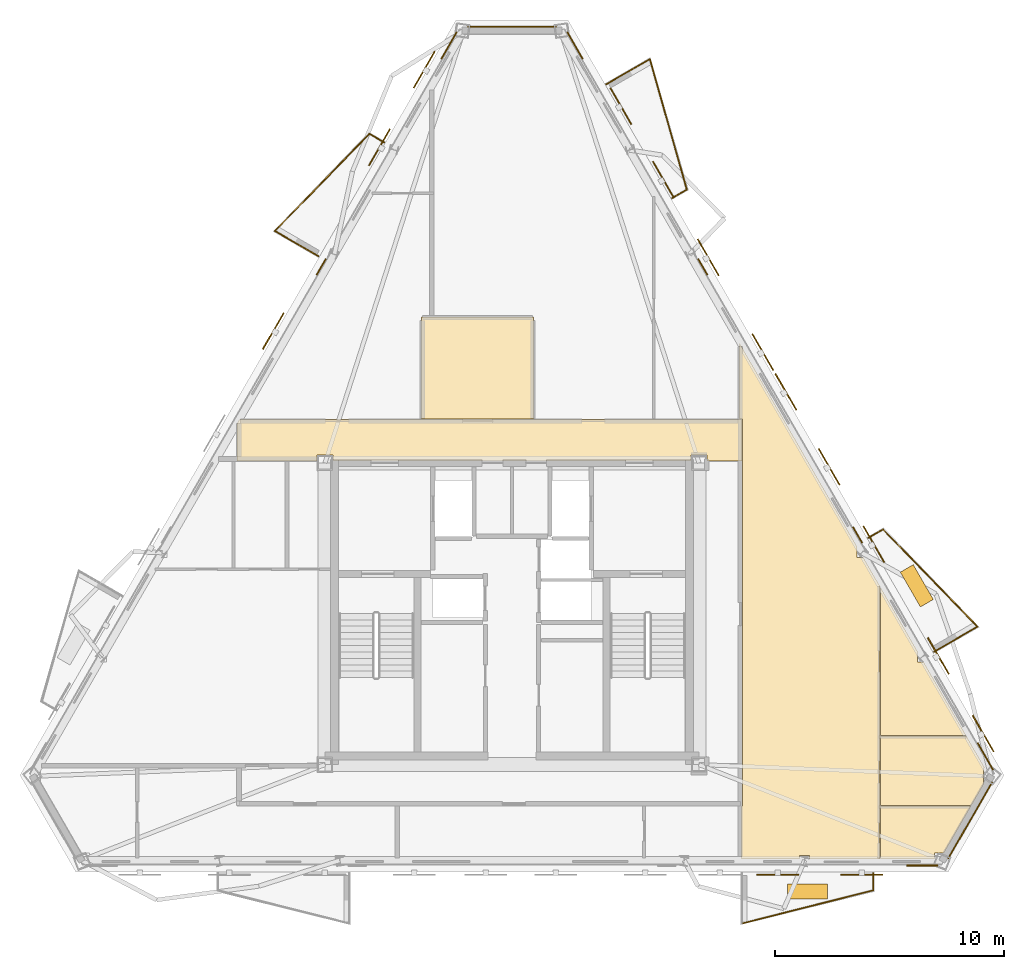
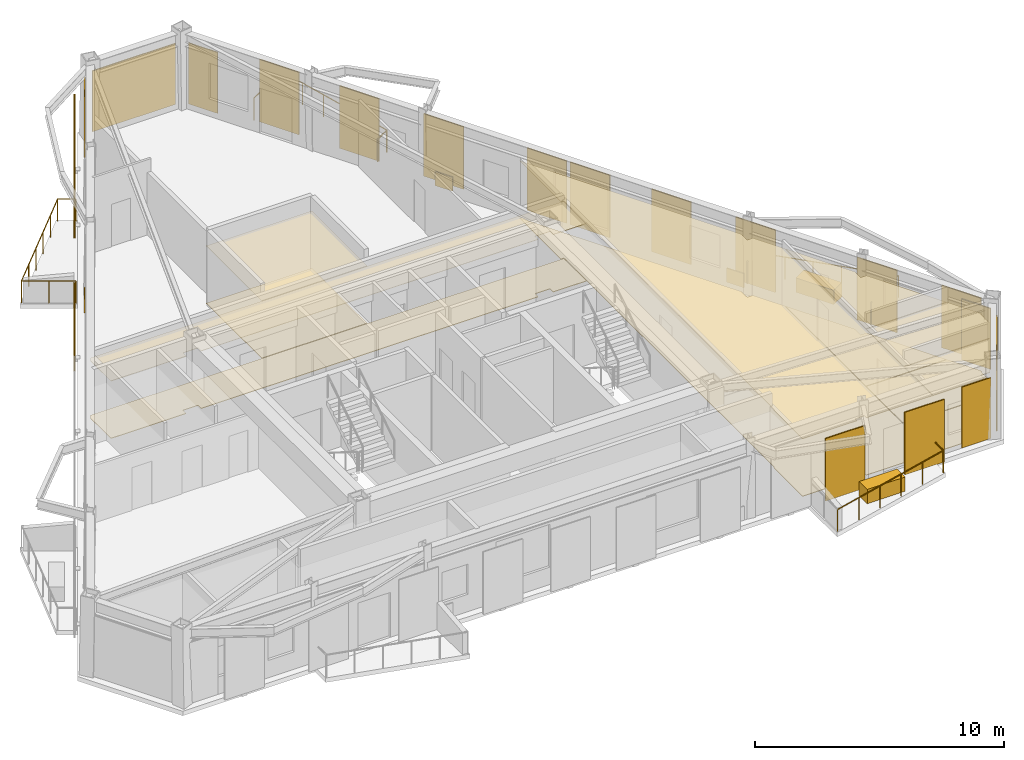
# One storey, part 9 of 9: 23 coverings, 14 shading devices, 11 railings.
"""IFC4 building model written with IfcOpenShell, lengths in metres."""

import ifcopenshell
import ifcopenshell.guid

model = None  # the IFC model being written
_history = None  # IfcOwnerHistory: only IFC2X3 demands one
_inside = {}  # id of a spatial element -> (the spatial element, [elements in it])
_under = {}  # id of a project, library or spatial element -> (it, [spatial elements below it])
_declared = {}  # id of a project -> (the project, [libraries it declares])
_typed = {}  # id of a type object -> (the type object, [elements of that type])
_made_of = {}  # id of a material, layer set ... -> (it, [elements and type objects made of it])


def new_model(schema):
    """Start an empty IFC model of exactly this schema.

    Asked for "IFC4X3", IfcOpenShell would pick the latest addendum, in which some entities
    have other attributes; the version numbers below select the first issue.
    IFC2X3 requires an IfcOwnerHistory on every rooted entity: one is made here for all.
    """
    global model, _history
    if schema == "IFC4X3":
        model = ifcopenshell.file(schema_version=(4, 3, 0, 0))
    else:
        model = ifcopenshell.file(schema=schema)
    _inside.clear()
    _under.clear()
    _declared.clear()
    _typed.clear()
    _made_of.clear()
    _history = None
    if model.schema == "IFC2X3":
        org = make("IfcOrganization", Name="unknown")
        user = make(
            "IfcPersonAndOrganization",
            ThePerson=make("IfcPerson", FamilyName="unknown"),
            TheOrganization=org,
        )
        app = make(
            "IfcApplication",
            ApplicationDeveloper=org,
            Version="unknown",
            ApplicationFullName="unknown",
            ApplicationIdentifier="unknown",
        )
        _history = make(
            "IfcOwnerHistory",
            OwningUser=user,
            OwningApplication=app,
            ChangeAction="ADDED",
            CreationDate=0,
        )
    return model


def make(cls, **values):
    """One entity of the class cls with the attributes given. An attribute that is None is left unset."""
    return model.create_entity(
        cls, **{name: value for name, value in values.items() if value is not None}
    )


def rooted(cls, **values):
    """An entity with a GlobalId (a new one), such as an element, a storey or a relation."""
    return make(cls, GlobalId=ifcopenshell.guid.new(), OwnerHistory=_history, **values)


def si_unit(unit_type, name, prefix=None):
    """IfcSIUnit, for example si_unit("LENGTHUNIT", "METRE", prefix="MILLI")."""
    return make("IfcSIUnit", UnitType=unit_type, Prefix=prefix, Name=name)


def assignment(units):
    """IfcUnitAssignment: the units of a project."""
    return None if units is None else make("IfcUnitAssignment", Units=units)


def point(xyz):
    """IfcCartesianPoint."""
    return None if xyz is None else make("IfcCartesianPoint", Coordinates=xyz)


def direction(xyz):
    """IfcDirection."""
    return None if xyz is None else make("IfcDirection", DirectionRatios=xyz)


def frame(location, z_axis=None, x_axis=None):
    """IfcAxis2Placement3D, a coordinate frame: its origin and axes. An axis left out is left unset."""
    return make(
        "IfcAxis2Placement3D",
        Location=point(location),
        Axis=direction(z_axis),
        RefDirection=direction(x_axis),
    )


def frame_2d(location, x_axis=None):
    """IfcAxis2Placement2D, a coordinate frame in the plane: its origin and x axis."""
    return make(
        "IfcAxis2Placement2D", Location=point(location), RefDirection=direction(x_axis)
    )


def origin():
    """The frame at (0, 0, 0) with its axes left unset."""
    return frame((0.0, 0.0, 0.0))


def origin_2d():
    """The frame at (0, 0) in the plane with its x axis left unset."""
    return frame_2d((0.0, 0.0))


def place(relative_to, where):
    """IfcLocalPlacement: puts the frame where relative to a parent placement (None: the world)."""
    return make(
        "IfcLocalPlacement", PlacementRelTo=relative_to, RelativePlacement=where
    )


def context(
    kind, dimensions, precision=None, world=None, true_north=None, identifier=None
):
    """IfcGeometricRepresentationContext, for example the 3D "Model" context."""
    return make(
        "IfcGeometricRepresentationContext",
        ContextIdentifier=identifier,
        ContextType=kind,
        CoordinateSpaceDimension=dimensions,
        Precision=precision,
        WorldCoordinateSystem=world,
        TrueNorth=true_north,
    )


def subcontext(parent, identifier, kind, view, scale=None):
    """IfcGeometricRepresentationSubContext, for example "Body" below "Model"."""
    return make(
        "IfcGeometricRepresentationSubContext",
        ContextIdentifier=identifier,
        ContextType=kind,
        ParentContext=parent,
        TargetScale=scale,
        TargetView=view,
    )


def project(units=None, contexts=None):
    """IfcProject with its units and contexts."""
    return rooted(
        "IfcProject",
        Name="project",
        RepresentationContexts=contexts,
        UnitsInContext=assignment(units),
    )


def spatial(cls, under=None, at=None, **own):
    """A site, building, storey or space (cls), placed at a placement, below another one or the project."""
    s = rooted(cls, ObjectPlacement=at, **own)
    if under is not None:
        _under.setdefault(under.id(), (under, []))[1].append(s)
    return s


def polyline(points):
    """IfcPolyline through the points."""
    return make("IfcPolyline", Points=[point(p) for p in points])


def profile(cls, at=None, kind="AREA", **sizes):
    """A parametric profile (cls). Its sizes go by their IFC names, for example OverallWidth=200.0."""
    return make(cls, ProfileType=kind, Position=at, **sizes)


def rectangle(**sizes):
    """IfcRectangleProfileDef."""
    return profile("IfcRectangleProfileDef", **sizes)


def circle(**sizes):
    """IfcCircleProfileDef."""
    return profile("IfcCircleProfileDef", **sizes)


def outline(outer, holes=None, kind="AREA"):
    """IfcArbitraryClosedProfileDef: a profile drawn as a closed curve; with holes, ...WithVoids."""
    if holes is None:
        return make("IfcArbitraryClosedProfileDef", ProfileType=kind, OuterCurve=outer)
    return make(
        "IfcArbitraryProfileDefWithVoids",
        ProfileType=kind,
        OuterCurve=outer,
        InnerCurves=holes,
    )


def extrude(swept, where, along, depth):
    """IfcExtrudedAreaSolid: the profile swept, set in the frame where, extruded along a direction by depth."""
    return make(
        "IfcExtrudedAreaSolid",
        SweptArea=swept,
        Position=where,
        ExtrudedDirection=direction(along),
        Depth=depth,
    )


def shape(context_of_items, identifier, shape_type, items):
    """IfcShapeRepresentation: the items that make up one representation, for example the "Body"."""
    return make(
        "IfcShapeRepresentation",
        ContextOfItems=context_of_items,
        RepresentationIdentifier=identifier,
        RepresentationType=shape_type,
        Items=items,
    )


def material(Name=None, Category=None):
    """IfcMaterial."""
    return make("IfcMaterial", Name=Name, Category=Category)


def layer(
    of_material, thickness, ventilated=None, Name=None, Category=None, Priority=None
):
    """IfcMaterialLayer: one layer of a wall or slab, of a material (None: an air gap)."""
    return make(
        "IfcMaterialLayer",
        Material=of_material,
        LayerThickness=thickness,
        IsVentilated=ventilated,
        Name=Name,
        Category=Category,
        Priority=Priority,
    )


def layer_set(layers, Name=None):
    """IfcMaterialLayerSet."""
    return make("IfcMaterialLayerSet", MaterialLayers=layers, LayerSetName=Name)


def made_of(thing, what):
    """Note that an element or type object is made of a material, layer set ...; save() writes the relation."""
    if what is not None:
        _made_of.setdefault(what.id(), (what, []))[1].append(thing)
    return thing


def type_object(cls, material=None, **own):
    """A type object (cls), such as IfcWallType, which elements share."""
    return made_of(rooted(cls, **own), material)


def element(
    cls,
    number,
    at=None,
    inside=None,
    cuts=None,
    type_object=None,
    material=None,
    context=None,
    identifier="Body",
    shape_type=None,
    held_by="IfcProductDefinitionShape",
    body=None,
    shapes=None,
    **own,
):
    """One element of the class cls, such as IfcWall. Its Tag is "e" and its number.

    at: its placement. inside: the storey or other place that contains it. cuts: it is an
    opening in that element (IfcRelVoidsElement). A single representation is given by context,
    identifier, shape_type and body (its items); several are given by shapes. held_by: the class
    of the entity that holds the representations. save() writes the other relations.
    """
    e = rooted(cls, Tag="e%d" % number, ObjectPlacement=at, **own)
    if body is not None:
        shapes = [shape(context, identifier, shape_type, body)]
    if shapes is not None:
        e.Representation = make(held_by, Representations=shapes)
    if inside is not None:
        _inside.setdefault(inside.id(), (inside, []))[1].append(e)
    if cuts is not None:
        rooted(
            "IfcRelVoidsElement", RelatingBuildingElement=cuts, RelatedOpeningElement=e
        )
    if type_object is not None:
        _typed.setdefault(type_object.id(), (type_object, []))[1].append(e)
    return made_of(e, material)


def aggregate(whole, parts):
    """IfcRelAggregates: a whole, such as a stair, and the parts it consists of."""
    return rooted("IfcRelAggregates", RelatingObject=whole, RelatedObjects=parts)


def save(model, path):
    """Write the relations noted so far, then the file.

    IfcRelAggregates (storeys below a building ...), IfcRelContainedInSpatialStructure (elements
    in a storey), IfcRelDefinesByType, IfcRelAssociatesMaterial and IfcRelDeclares: one each for
    every whole, place, type object, material and project.
    """
    for whole, parts in _under.values():
        aggregate(whole, parts)
    for where, things in _inside.values():
        rooted(
            "IfcRelContainedInSpatialStructure",
            RelatedElements=things,
            RelatingStructure=where,
        )
    for kind, things in _typed.values():
        rooted("IfcRelDefinesByType", RelatedObjects=things, RelatingType=kind)
    for what, things in _made_of.values():
        rooted("IfcRelAssociatesMaterial", RelatedObjects=things, RelatingMaterial=what)
    for by, libraries in _declared.values():
        rooted("IfcRelDeclares", RelatingContext=by, RelatedDefinitions=libraries)
    model.write(path)


model = new_model("IFC4")

# Units and contexts
model_context = context("Model", 3, precision=1e-05, world=origin(), true_north=direction((0.0, 1.0)))
body_context = subcontext(model_context, "Body", "Model", "MODEL_VIEW")
ifc_project = project(units=[si_unit("LENGTHUNIT", "METRE"), si_unit("AREAUNIT", "SQUARE_METRE"), si_unit("VOLUMEUNIT", "CUBIC_METRE"), si_unit("PLANEANGLEUNIT", "RADIAN"), si_unit("MASSUNIT", "GRAM", prefix="KILO")], contexts=[model_context])

# Site, building, storey
site_placement = place(None, origin())
site = spatial("IfcSite", under=ifc_project, at=site_placement, CompositionType="ELEMENT")
building_placement = place(site_placement, origin())
building = spatial("IfcBuilding", under=site, at=building_placement, Name="Oramaril Tower", CompositionType="ELEMENT")
storey_placement = place(building_placement, frame((0.0, 0.0, 285.0)))
storey = spatial("IfcBuildingStorey", under=building, at=storey_placement, Name="L75", CompositionType="ELEMENT", Elevation=285.0)

# Coverings
ifc_material_1 = material(Name="Mineral Fibre Acoustic Ceiling")
ifc_layer_1 = layer(ifc_material_1, 0.02001953125)
ifc_layer_set_1 = layer_set([ifc_layer_1], Name="CVT-CEIL")
covering_type_1 = type_object("IfcCoveringType", Name="CVT-CEIL", PredefinedType="CEILING", material=ifc_layer_set_1)
covering_1_placement = place(storey_placement, frame((0.0, 0.0, 2.81201171875)))
element("IfcCovering", 1, at=covering_1_placement, inside=storey, type_object=covering_type_1, Name="L75 Acoustic Suspended Ceiling 2", PredefinedType="CEILING", context=body_context, shape_type="SweptSolid", body=[
    extrude(outline(polyline([(45.9951171875, 24.239990234375), (45.9951171875, 24.4951171875), (45.304931640625, 24.4951171875), (45.304931640625, 24.25), (29.695068359375, 24.25), (29.695068359375, 24.4951171875), (29.0048828125, 24.4951171875), (29.0048828125, 24.239990234375), (25.52001953125, 24.239990234375), (25.52001953125, 25.87060546875), (25.62353515625, 26.050048828125), (47.530029296875, 26.050048828125), (47.530029296875, 24.239990234375), (45.9951171875, 24.239990234375)])), origin(), (0.0, 0.0, 1.0), 0.02001953125),
])
covering_2_placement = place(storey_placement, frame((0.0, 0.0, 2.81201171875)))
element("IfcCovering", 2, at=covering_2_placement, inside=storey, type_object=covering_type_1, Name="L75 Acoustic Suspended Ceiling 4", PredefinedType="CEILING", context=body_context, shape_type="SweptSolid", body=[
    extrude(outline(polyline([(38.44189453125, 30.511962890625), (38.44189453125, 26.070068359375), (33.55810546875, 26.070068359375), (33.55810546875, 30.511962890625), (38.44189453125, 30.511962890625)])), origin(), (0.0, 0.0, 1.0), 0.02001953125),
])
covering_3_placement = place(storey_placement, frame((0.0, 0.0, 2.81201171875)))
element("IfcCovering", 3, at=covering_3_placement, inside=storey, type_object=covering_type_1, Name="L75 Acoustic Suspended Ceiling 13", PredefinedType="CEILING", context=body_context, shape_type="SweptSolid", body=[
    extrude(outline(polyline([(52.54833984375, 20.479736328125), (52.54052734375, 20.479736328125), (52.54052734375, 20.0302734375), (52.80810546875, 20.0302734375), (53.53515625, 18.770751953125), (53.53515625, 6.877685546875), (50.46533203125, 6.877685546875), (50.46533203125, 7.033935546875), (50.037109375, 7.033935546875), (50.037109375, 6.877685546875), (47.511962890625, 6.877685546875), (47.511962890625, 9.199951171875), (47.530029296875, 9.199951171875), (47.531982421875, 9.2001953125), (47.533935546875, 9.200439453125), (47.535888671875, 9.200927734375), (47.53759765625, 9.201416015625), (47.539306640625, 9.202392578125), (47.541015625, 9.203369140625), (47.542724609375, 9.20458984375), (47.544189453125, 9.205810546875), (47.54541015625, 9.207275390625), (47.546630859375, 9.208984375), (47.547607421875, 9.210693359375), (47.548583984375, 9.21240234375), (47.549072265625, 9.214111328125), (47.549560546875, 9.216064453125), (47.5498046875, 9.218017578125), (47.550048828125, 9.219970703125), (47.550048828125, 11.030029296875), (47.5498046875, 11.031982421875), (47.549560546875, 11.033935546875), (47.549072265625, 11.035888671875), (47.548583984375, 11.03759765625), (47.547607421875, 11.039306640625), (47.54736328125, 11.0400390625), (47.547607421875, 11.04052734375), (47.548583984375, 11.042236328125), (47.549072265625, 11.044189453125), (47.549560546875, 11.046142578125), (47.5498046875, 11.048095703125), (47.550048828125, 11.050048828125), (47.550048828125, 24.219970703125), (47.5498046875, 24.221923828125), (47.549560546875, 24.223876953125), (47.549072265625, 24.225830078125), (47.548583984375, 24.227783203125), (47.547607421875, 24.2294921875), (47.54736328125, 24.22998046875), (47.547607421875, 24.230712890625), (47.548583984375, 24.232421875), (47.549072265625, 24.234130859375), (47.549560546875, 24.236083984375), (47.5498046875, 24.238037109375), (47.550048828125, 24.239990234375), (47.550048828125, 26.050048828125), (47.5498046875, 26.052001953125), (47.549560546875, 26.053955078125), (47.549072265625, 26.055908203125), (47.548583984375, 26.0576171875), (47.547607421875, 26.059326171875), (47.546630859375, 26.06103515625), (47.54541015625, 26.062744140625), (47.544189453125, 26.064208984375), (47.542724609375, 26.0654296875), (47.541015625, 26.066650390625), (47.539306640625, 26.067626953125), (47.53759765625, 26.068603515625), (47.535888671875, 26.069091796875), (47.533935546875, 26.069580078125), (47.531982421875, 26.06982421875), (47.530029296875, 26.070068359375), (47.407958984375, 26.070068359375), (47.407958984375, 29.38330078125), (52.54833984375, 20.479736328125)])), origin(), (0.0, 0.0, 1.0), 0.02001953125),
])
covering_4_placement = place(storey_placement, frame((0.0, 0.0, 2.81201171875)))
element("IfcCovering", 4, at=covering_4_placement, inside=storey, type_object=covering_type_1, Name="L75 Acoustic Suspended Ceiling 14", PredefinedType="CEILING", context=body_context, shape_type="SweptSolid", body=[
    extrude(outline(polyline([(56.333740234375, 7.1474609375), (55.92041015625, 7.1474609375), (55.92041015625, 6.877685546875), (53.55517578125, 6.877685546875), (53.55517578125, 9.194580078125), (57.515625, 9.194580078125), (56.333740234375, 7.1474609375)])), origin(), (0.0, 0.0, 1.0), 0.02001953125),
])
covering_5_placement = place(storey_placement, frame((0.0, 0.0, 2.81201171875)))
element("IfcCovering", 5, at=covering_5_placement, inside=storey, type_object=covering_type_1, Name="L75 Acoustic Suspended Ceiling 15", PredefinedType="CEILING", context=body_context, shape_type="SweptSolid", body=[
    extrude(outline(polyline([(58.10498046875, 10.85546875), (58.055908203125, 10.85546875), (58.055908203125, 10.167236328125), (58.0771484375, 10.167236328125), (57.525634765625, 9.2119140625), (57.525146484375, 9.212158203125), (57.5234375, 9.212890625), (57.521484375, 9.213623046875), (57.51953125, 9.214111328125), (57.517578125, 9.214599609375), (57.515625, 9.214599609375), (53.55517578125, 9.214599609375), (53.55517578125, 12.24462890625), (57.302978515625, 12.24462890625), (58.10498046875, 10.85546875)])), origin(), (0.0, 0.0, 1.0), 0.02001953125),
])
covering_6_placement = place(storey_placement, frame((0.0, 0.0, 2.81201171875)))
element("IfcCovering", 6, at=covering_6_placement, inside=storey, type_object=covering_type_1, Name="L75 Acoustic Suspended Ceiling 16", PredefinedType="CEILING", context=body_context, shape_type="SweptSolid", body=[
    extrude(outline(polyline([(55.167236328125, 15.935546875), (55.167236328125, 15.48046875), (55.434814453125, 15.48046875), (57.29150390625, 12.2646484375), (53.55517578125, 12.2646484375), (53.55517578125, 18.736083984375), (55.172119140625, 15.935546875), (55.167236328125, 15.935546875)])), origin(), (0.0, 0.0, 1.0), 0.02001953125),
])
ifc_material_2 = material(Name="Warm Cream Limestone", Category="masonry")
ifc_layer_2 = layer(ifc_material_2, 0.050048828125)
ifc_layer_set_2 = layer_set([ifc_layer_2], Name="CVT-CLD")
covering_type_2 = type_object("IfcCoveringType", Name="CVT-CLD", PredefinedType="CLADDING", material=ifc_layer_set_2)
covering_7_placement = place(storey_placement, frame((55.390380859375, 6.601806640625, 0.0400390625), z_axis=(0.0, 0.0, 1.0), x_axis=(1.0, 0.0, 0.0)))
element("IfcCovering", 7, at=covering_7_placement, inside=storey, type_object=covering_type_2, Name="L75 Warm Cream Limestone Cladding", PredefinedType="CLADDING", context=body_context, shape_type="SweptSolid", body=[
    extrude(rectangle(XDim=1.35009765625, YDim=0.050048828125, at=origin_2d()), origin(), (0.0, 0.0, 1.0), 2.97802734375),
])
covering_8_placement = place(storey_placement, frame((57.472900390625, 8.568603515625, 0.0400390625), z_axis=(0.0, 0.0, 1.0), x_axis=(0.499984884929, 0.866034130299, 0.0)))
element("IfcCovering", 8, at=covering_8_placement, inside=storey, type_object=covering_type_2, Name="L75 Warm Cream Limestone Cladding", PredefinedType="CLADDING", context=body_context, shape_type="SweptSolid", body=[
    extrude(rectangle(XDim=3.848388671875, YDim=0.050048828125, at=origin_2d()), origin(), (0.0, 0.0, 1.0), 2.97802734375),
])
for number, where, z_axis, x_axis, name in (
    (9, (58.135009765625, 11.355712890625, 0.0400390625), (0.0, 0.0, 1.0), (-0.5, 0.866025403784, 0.0), "L75 Warm Cream Limestone Cladding"),
    (10, (40.24462890625, 42.3427734375, 0.0400390625), (0.0, 0.0, 1.0), (-0.5, 0.866025403784, 0.0), "L75 Warm Cream Limestone Cladding"),
):
    element("IfcCovering", number, at=place(storey_placement, frame(where, z_axis=z_axis, x_axis=x_axis)), inside=storey, type_object=covering_type_2, Name=name, PredefinedType="CLADDING", context=body_context, shape_type="SweptSolid", body=[
        extrude(rectangle(XDim=1.35009765625, YDim=0.050048828125, at=origin_2d()), origin(), (0.0, 0.0, 1.0), 2.97802734375),
    ])
for number, where, z_axis, x_axis, name in (
    (11, (52.56298828125, 21.006591796875, 0.0400390625), (0.0, 0.0, 1.0), (-0.5, 0.866025403784, 0.0), "L75 Warm Cream Limestone Spandrel Cladding"),
    (12, (45.81640625, 32.69189453125, 0.0400390625), (0.0, 0.0, 1.0), (-0.5, 0.866025403784, 0.0), "L75 Warm Cream Limestone Spandrel Cladding"),
):
    element("IfcCovering", number, at=place(storey_placement, frame(where, z_axis=z_axis, x_axis=x_axis)), inside=storey, type_object=covering_type_2, Name=name, PredefinedType="CLADDING", context=body_context, shape_type="SweptSolid", body=[
        extrude(rectangle(XDim=0.800048828125, YDim=0.050048828125, at=origin_2d()), origin(), (0.0, 0.0, 1.0), 0.679931640625),
    ])
covering_9_placement = place(storey_placement, frame((37.5, 43.162841796875, 0.0400390625), z_axis=(0.0, 0.0, 1.0), x_axis=(-1.0, 0.0, 0.0)))
element("IfcCovering", 13, at=covering_9_placement, inside=storey, type_object=covering_type_2, Name="L75 Warm Cream Limestone Cladding", PredefinedType="CLADDING", context=body_context, shape_type="SweptSolid", body=[
    extrude(rectangle(XDim=3.84814453125, YDim=0.050048828125, at=origin_2d()), origin(), (0.0, 0.0, 1.0), 2.97802734375),
])
covering_10_placement = place(storey_placement, frame((34.75537109375, 42.3427734375, 0.0400390625), z_axis=(0.0, 0.0, 1.0), x_axis=(-0.5, -0.866025403784, 0.0)))
element("IfcCovering", 14, at=covering_10_placement, inside=storey, type_object=covering_type_2, Name="L75 Warm Cream Limestone Cladding", PredefinedType="CLADDING", context=body_context, shape_type="SweptSolid", body=[
    extrude(rectangle(XDim=1.35009765625, YDim=0.050048828125, at=origin_2d()), origin(), (0.0, 0.0, 1.0), 2.97802734375),
])
covering_11_placement = place(storey_placement, frame((29.18359375, 32.69189453125, 0.0400390625), z_axis=(0.0, 0.0, 1.0), x_axis=(-0.5, -0.866025403784, 0.0)))
element("IfcCovering", 15, at=covering_11_placement, inside=storey, type_object=covering_type_2, Name="L75 Warm Cream Limestone Spandrel Cladding", PredefinedType="CLADDING", context=body_context, shape_type="SweptSolid", body=[
    extrude(rectangle(XDim=0.800048828125, YDim=0.050048828125, at=origin_2d()), origin(), (0.0, 0.0, 1.0), 0.679931640625),
])
for number, where, z_axis, x_axis, name in (
    (16, (50.381103515625, 5.47314453125, 0.0), (0.0, 0.0, 1.0), (1.0, 0.0, 0.0), "L75 Structural Tree Planter Box L75-BAL-S2"),
    (17, (55.145263671875, 18.791259765625, 0.0), (0.0, 0.0, 1.0), (-0.500001511499, 0.866024531118, 0.0), "L75 Structural Tree Planter Box L75-BAL-NE1"),
):
    element("IfcCovering", number, at=place(storey_placement, frame(where, z_axis=z_axis, x_axis=x_axis)), inside=storey, type_object=covering_type_2, Name=name, PredefinedType="CLADDING", context=body_context, shape_type="SweptSolid", body=[
        extrude(rectangle(XDim=1.75, YDim=0.64990234375, at=origin_2d()), origin(), (0.0, 0.0, 1.0), 0.699951171875),
    ])
ifc_material_3 = material(Name="Honed Quartzite Stone Flooring", Category="masonry")
ifc_layer_3 = layer(ifc_material_3, 0.02490234375)
ifc_layer_set_3 = layer_set([ifc_layer_3], Name="CVT-FLR")
covering_type_3 = type_object("IfcCoveringType", Name="CVT-FLR", PredefinedType="FLOORING", material=ifc_layer_set_3)
covering_12_placement = place(storey_placement, origin())
element("IfcCovering", 18, at=covering_12_placement, inside=storey, type_object=covering_type_3, Name="L75 Honed Stone Floor Finish 2", PredefinedType="FLOORING", context=body_context, shape_type="SweptSolid", body=[
    extrude(outline(polyline([(45.9951171875, 24.239990234375), (45.9951171875, 24.4951171875), (45.304931640625, 24.4951171875), (45.304931640625, 24.25), (29.695068359375, 24.25), (29.695068359375, 24.4951171875), (29.0048828125, 24.4951171875), (29.0048828125, 24.239990234375), (25.52001953125, 24.239990234375), (25.52001953125, 25.87060546875), (25.62353515625, 26.050048828125), (47.530029296875, 26.050048828125), (47.530029296875, 24.239990234375), (45.9951171875, 24.239990234375)])), origin(), (0.0, 0.0, 1.0), 0.02490234375),
])
covering_13_placement = place(storey_placement, origin())
element("IfcCovering", 19, at=covering_13_placement, inside=storey, type_object=covering_type_3, Name="L75 Honed Stone Floor Finish 4", PredefinedType="FLOORING", context=body_context, shape_type="SweptSolid", body=[
    extrude(outline(polyline([(38.44189453125, 30.511962890625), (38.44189453125, 26.070068359375), (33.55810546875, 26.070068359375), (33.55810546875, 30.511962890625), (38.44189453125, 30.511962890625)])), origin(), (0.0, 0.0, 1.0), 0.02490234375),
])
covering_14_placement = place(storey_placement, origin())
element("IfcCovering", 20, at=covering_14_placement, inside=storey, type_object=covering_type_3, Name="L75 Honed Stone Floor Finish 13", PredefinedType="FLOORING", context=body_context, shape_type="SweptSolid", body=[
    extrude(outline(polyline([(52.54833984375, 20.479736328125), (52.54052734375, 20.479736328125), (52.54052734375, 20.0302734375), (52.80810546875, 20.0302734375), (53.53515625, 18.770751953125), (53.53515625, 6.877685546875), (50.46533203125, 6.877685546875), (50.46533203125, 7.033935546875), (50.037109375, 7.033935546875), (50.037109375, 6.877685546875), (47.511962890625, 6.877685546875), (47.511962890625, 9.199951171875), (47.530029296875, 9.199951171875), (47.531982421875, 9.2001953125), (47.533935546875, 9.200439453125), (47.535888671875, 9.200927734375), (47.53759765625, 9.201416015625), (47.539306640625, 9.202392578125), (47.541015625, 9.203369140625), (47.542724609375, 9.20458984375), (47.544189453125, 9.205810546875), (47.54541015625, 9.207275390625), (47.546630859375, 9.208984375), (47.547607421875, 9.210693359375), (47.548583984375, 9.21240234375), (47.549072265625, 9.214111328125), (47.549560546875, 9.216064453125), (47.5498046875, 9.218017578125), (47.550048828125, 9.219970703125), (47.550048828125, 11.030029296875), (47.5498046875, 11.031982421875), (47.549560546875, 11.033935546875), (47.549072265625, 11.035888671875), (47.548583984375, 11.03759765625), (47.547607421875, 11.039306640625), (47.54736328125, 11.0400390625), (47.547607421875, 11.04052734375), (47.548583984375, 11.042236328125), (47.549072265625, 11.044189453125), (47.549560546875, 11.046142578125), (47.5498046875, 11.048095703125), (47.550048828125, 11.050048828125), (47.550048828125, 24.219970703125), (47.5498046875, 24.221923828125), (47.549560546875, 24.223876953125), (47.549072265625, 24.225830078125), (47.548583984375, 24.227783203125), (47.547607421875, 24.2294921875), (47.54736328125, 24.22998046875), (47.547607421875, 24.230712890625), (47.548583984375, 24.232421875), (47.549072265625, 24.234130859375), (47.549560546875, 24.236083984375), (47.5498046875, 24.238037109375), (47.550048828125, 24.239990234375), (47.550048828125, 26.050048828125), (47.5498046875, 26.052001953125), (47.549560546875, 26.053955078125), (47.549072265625, 26.055908203125), (47.548583984375, 26.0576171875), (47.547607421875, 26.059326171875), (47.546630859375, 26.06103515625), (47.54541015625, 26.062744140625), (47.544189453125, 26.064208984375), (47.542724609375, 26.0654296875), (47.541015625, 26.066650390625), (47.539306640625, 26.067626953125), (47.53759765625, 26.068603515625), (47.535888671875, 26.069091796875), (47.533935546875, 26.069580078125), (47.531982421875, 26.06982421875), (47.530029296875, 26.070068359375), (47.407958984375, 26.070068359375), (47.407958984375, 29.38330078125), (52.54833984375, 20.479736328125)])), origin(), (0.0, 0.0, 1.0), 0.02490234375),
])
covering_15_placement = place(storey_placement, origin())
element("IfcCovering", 21, at=covering_15_placement, inside=storey, type_object=covering_type_3, Name="L75 Honed Stone Floor Finish 14", PredefinedType="FLOORING", context=body_context, shape_type="SweptSolid", body=[
    extrude(outline(polyline([(56.333740234375, 7.1474609375), (55.92041015625, 7.1474609375), (55.92041015625, 6.877685546875), (53.55517578125, 6.877685546875), (53.55517578125, 9.194580078125), (57.515625, 9.194580078125), (56.333740234375, 7.1474609375)])), origin(), (0.0, 0.0, 1.0), 0.02490234375),
])
covering_16_placement = place(storey_placement, origin())
element("IfcCovering", 22, at=covering_16_placement, inside=storey, type_object=covering_type_3, Name="L75 Honed Stone Floor Finish 15", PredefinedType="FLOORING", context=body_context, shape_type="SweptSolid", body=[
    extrude(outline(polyline([(58.10498046875, 10.85546875), (58.055908203125, 10.85546875), (58.055908203125, 10.167236328125), (58.0771484375, 10.167236328125), (57.525634765625, 9.2119140625), (57.525146484375, 9.212158203125), (57.5234375, 9.212890625), (57.521484375, 9.213623046875), (57.51953125, 9.214111328125), (57.517578125, 9.214599609375), (57.515625, 9.214599609375), (53.55517578125, 9.214599609375), (53.55517578125, 12.24462890625), (57.302978515625, 12.24462890625), (58.10498046875, 10.85546875)])), origin(), (0.0, 0.0, 1.0), 0.02490234375),
])
covering_17_placement = place(storey_placement, origin())
element("IfcCovering", 23, at=covering_17_placement, inside=storey, type_object=covering_type_3, Name="L75 Honed Stone Floor Finish 16", PredefinedType="FLOORING", context=body_context, shape_type="SweptSolid", body=[
    extrude(outline(polyline([(55.167236328125, 15.935546875), (55.167236328125, 15.48046875), (55.434814453125, 15.48046875), (57.29150390625, 12.2646484375), (53.55517578125, 12.2646484375), (53.55517578125, 18.736083984375), (55.172119140625, 15.935546875), (55.167236328125, 15.935546875)])), origin(), (0.0, 0.0, 1.0), 0.02490234375),
])

# Railings
ifc_material_4 = material(Name="Stainless Steel 316L", Category="steel")
railing_type = type_object("IfcRailingType", Name="RLT-GRD", PredefinedType="GUARDRAIL", material=ifc_material_4)
railing_1_placement = place(storey_placement, frame((53.24609375, 6.26171875, 0.0)))
element("IfcRailing", 24, at=railing_1_placement, inside=storey, type_object=railing_type, Name="L75 Balcony Guardrail L75-BAL-S2.1", PredefinedType="GUARDRAIL", context=body_context, shape_type="SweptSolid", body=[
    extrude(circle(Radius=0.02392578125, at=origin_2d()), frame((0.0, 0.0, 1.076171875), z_axis=(0.0, -1.0, 0.0), x_axis=(1.0, 0.0, 0.0)), (0.0, 0.0, 1.0), 0.741943359375),
    extrude(circle(Radius=0.02099609375, at=origin_2d()), origin(), (0.0, 0.0, 1.0), 1.052001953125),
    extrude(circle(Radius=0.02099609375, at=origin_2d()), frame((0.0, -0.741943359375, 0.0)), (0.0, 0.0, 1.0), 1.052001953125),
])
railing_2_placement = place(storey_placement, frame((53.24609375, 5.519775390625, 0.0)))
element("IfcRailing", 25, at=railing_2_placement, inside=storey, type_object=railing_type, Name="L75 Balcony Guardrail L75-BAL-S2.2", PredefinedType="GUARDRAIL", context=body_context, shape_type="SweptSolid", body=[
    extrude(circle(Radius=0.02392578125, at=origin_2d()), frame((0.0, 0.0, 1.076171875), z_axis=(-0.969433787338, -0.245353076131, 0.0), x_axis=(0.245353076131, -0.969433787338, 0.0)), (0.0, 0.0, 1.0), 5.91064453125),
    extrude(circle(Radius=0.02099609375, at=origin_2d()), origin(), (0.0, 0.0, 1.0), 1.052001953125),
    extrude(circle(Radius=0.02099609375, at=origin_2d()), frame((-1.14599609375, -0.2900390625, 0.0)), (0.0, 0.0, 1.0), 1.052001953125),
    extrude(circle(Radius=0.02099609375, at=origin_2d()), frame((-2.2919921875, -0.580078125, 0.0)), (0.0, 0.0, 1.0), 1.052001953125),
    extrude(circle(Radius=0.02099609375, at=origin_2d()), frame((-3.43798828125, -0.8701171875, 0.0)), (0.0, 0.0, 1.0), 1.052001953125),
    extrude(circle(Radius=0.02099609375, at=origin_2d()), frame((-4.583984375, -1.16015625, 0.0)), (0.0, 0.0, 1.0), 1.052001953125),
    extrude(circle(Radius=0.02099609375, at=origin_2d()), frame((-5.72998046875, -1.4501953125, 0.0)), (0.0, 0.0, 1.0), 1.052001953125),
])
railing_3_placement = place(storey_placement, frame((53.02978515625, 20.878173828125, 0.0)))
element("IfcRailing", 26, at=railing_3_placement, inside=storey, type_object=railing_type, Name="L75 Balcony Guardrail L75-BAL-NE1.1", PredefinedType="GUARDRAIL", context=body_context, shape_type="SweptSolid", body=[
    extrude(circle(Radius=0.02392578125, at=origin_2d()), frame((0.0, 0.0, 1.076171875), z_axis=(0.866108878364, 0.499855389907, 0.0), x_axis=(-0.499855389907, 0.866108878364, 0.0)), (0.0, 0.0, 1.0), 0.741943359375),
    extrude(circle(Radius=0.02099609375, at=origin_2d()), origin(), (0.0, 0.0, 1.0), 1.052001953125),
    extrude(circle(Radius=0.02099609375, at=origin_2d()), frame((0.642578125, 0.370849609375, 0.0)), (0.0, 0.0, 1.0), 1.052001953125),
])
railing_4_placement = place(storey_placement, frame((53.67236328125, 21.2490234375, 0.0)))
element("IfcRailing", 27, at=railing_4_placement, inside=storey, type_object=railing_type, Name="L75 Balcony Guardrail L75-BAL-NE1.2", PredefinedType="GUARDRAIL", context=body_context, shape_type="SweptSolid", body=[
    extrude(circle(Radius=0.02392578125, at=origin_2d()), frame((0.0, 0.0, 1.076171875), z_axis=(0.697207560153, -0.716869317285, 0.0), x_axis=(0.716869317285, 0.697207560153, 0.0)), (0.0, 0.0, 1.0), 5.910400390625),
    extrude(circle(Radius=0.02099609375, at=origin_2d()), origin(), (0.0, 0.0, 1.0), 1.052001953125),
    extrude(circle(Radius=0.02099609375, at=origin_2d()), frame((0.82421875, -0.847412109375, 0.0)), (0.0, 0.0, 1.0), 1.052001953125),
    extrude(circle(Radius=0.02099609375, at=origin_2d()), frame((1.6484375, -1.69482421875, 0.0)), (0.0, 0.0, 1.0), 1.052001953125),
    extrude(circle(Radius=0.02099609375, at=origin_2d()), frame((2.472412109375, -2.542236328125, 0.0)), (0.0, 0.0, 1.0), 1.052001953125),
    extrude(circle(Radius=0.02099609375, at=origin_2d()), frame((3.296630859375, -3.3896484375, 0.0)), (0.0, 0.0, 1.0), 1.052001953125),
    extrude(circle(Radius=0.02099609375, at=origin_2d()), frame((4.120849609375, -4.237060546875, 0.0)), (0.0, 0.0, 1.0), 1.052001953125),
])
railing_5_placement = place(storey_placement, frame((57.793212890625, 17.011962890625, 0.0)))
element("IfcRailing", 28, at=railing_5_placement, inside=storey, type_object=railing_type, Name="L75 Balcony Guardrail L75-BAL-NE1.3", PredefinedType="GUARDRAIL", context=body_context, shape_type="SweptSolid", body=[
    extrude(circle(Radius=0.02392578125, at=origin_2d()), frame((0.0, 0.0, 1.076171875), z_axis=(-0.866048343933, -0.499960264392, 0.0), x_axis=(0.499960264392, -0.866048343933, 0.0)), (0.0, 0.0, 1.0), 2.192138671875),
    extrude(circle(Radius=0.02099609375, at=origin_2d()), origin(), (0.0, 0.0, 1.0), 1.052001953125),
    extrude(circle(Radius=0.02099609375, at=origin_2d()), frame((-0.94921875, -0.5478515625, 0.0)), (0.0, 0.0, 1.0), 1.052001953125),
    extrude(circle(Radius=0.02099609375, at=origin_2d()), frame((-1.8984375, -1.095947265625, 0.0)), (0.0, 0.0, 1.0), 1.052001953125),
])
railing_6_placement = place(storey_placement, frame((41.611328125, 40.655517578125, 0.0)))
element("IfcRailing", 29, at=railing_6_placement, inside=storey, type_object=railing_type, Name="L75 Balcony Guardrail L75-BAL-NE2.1", PredefinedType="GUARDRAIL", context=body_context, shape_type="SweptSolid", body=[
    extrude(circle(Radius=0.02392578125, at=origin_2d()), frame((0.0, 0.0, 1.076171875), z_axis=(0.866020500697, 0.5000084923, 0.0), x_axis=(-0.5000084923, 0.866020500697, 0.0)), (0.0, 0.0, 1.0), 2.19189453125),
    extrude(circle(Radius=0.02099609375, at=origin_2d()), origin(), (0.0, 0.0, 1.0), 1.052001953125),
    extrude(circle(Radius=0.02099609375, at=origin_2d()), frame((0.94921875, 0.5478515625, 0.0)), (0.0, 0.0, 1.0), 1.052001953125),
    extrude(circle(Radius=0.02099609375, at=origin_2d()), frame((1.898193359375, 1.095947265625, 0.0)), (0.0, 0.0, 1.0), 1.052001953125),
])
railing_7_placement = place(storey_placement, frame((43.509521484375, 41.75146484375, 0.0)))
element("IfcRailing", 30, at=railing_7_placement, inside=storey, type_object=railing_type, Name="L75 Balcony Guardrail L75-BAL-NE2.2", PredefinedType="GUARDRAIL", context=body_context, shape_type="SweptSolid", body=[
    extrude(circle(Radius=0.02392578125, at=origin_2d()), frame((0.0, 0.0, 1.076171875), z_axis=(0.272287109361, -0.962216051662, 0.0), x_axis=(0.962216051662, 0.272287109361, 0.0)), (0.0, 0.0, 1.0), 5.91064453125),
    extrude(circle(Radius=0.02099609375, at=origin_2d()), origin(), (0.0, 0.0, 1.0), 1.052001953125),
    extrude(circle(Radius=0.02099609375, at=origin_2d()), frame((0.32177734375, -1.137451171875, 0.0)), (0.0, 0.0, 1.0), 1.052001953125),
    extrude(circle(Radius=0.02099609375, at=origin_2d()), frame((0.643798828125, -2.27490234375, 0.0)), (0.0, 0.0, 1.0), 1.052001953125),
    extrude(circle(Radius=0.02099609375, at=origin_2d()), frame((0.965576171875, -3.412353515625, 0.0)), (0.0, 0.0, 1.0), 1.052001953125),
    extrude(circle(Radius=0.02099609375, at=origin_2d()), frame((1.28759765625, -4.5498046875, 0.0)), (0.0, 0.0, 1.0), 1.052001953125),
    extrude(circle(Radius=0.02099609375, at=origin_2d()), frame((1.609375, -5.687255859375, 0.0)), (0.0, 0.0, 1.0), 1.052001953125),
])
railing_8_placement = place(storey_placement, frame((45.118896484375, 36.064208984375, 0.0)))
element("IfcRailing", 31, at=railing_8_placement, inside=storey, type_object=railing_type, Name="L75 Balcony Guardrail L75-BAL-NE2.3", PredefinedType="GUARDRAIL", context=body_context, shape_type="SweptSolid", body=[
    extrude(circle(Radius=0.02392578125, at=origin_2d()), frame((0.0, 0.0, 1.076171875), z_axis=(-0.866108878364, -0.499855389907, 0.0), x_axis=(0.499855389907, -0.866108878364, 0.0)), (0.0, 0.0, 1.0), 0.741943359375),
    extrude(circle(Radius=0.02099609375, at=origin_2d()), origin(), (0.0, 0.0, 1.0), 1.052001953125),
    extrude(circle(Radius=0.02099609375, at=origin_2d()), frame((-0.642578125, -0.370849609375, 0.0)), (0.0, 0.0, 1.0), 1.052001953125),
])
railing_9_placement = place(storey_placement, frame((29.061279296875, 33.16015625, 0.0)))
element("IfcRailing", 32, at=railing_9_placement, inside=storey, type_object=railing_type, Name="L75 Balcony Guardrail L75-BAL-NW1.1", PredefinedType="GUARDRAIL", context=body_context, shape_type="SweptSolid", body=[
    extrude(circle(Radius=0.02392578125, at=origin_2d()), frame((0.0, 0.0, 1.076171875), z_axis=(-0.866048343933, 0.499960264392, 0.0), x_axis=(-0.499960264392, -0.866048343933, 0.0)), (0.0, 0.0, 1.0), 2.192138671875),
    extrude(circle(Radius=0.02099609375, at=origin_2d()), origin(), (0.0, 0.0, 1.0), 1.052001953125),
    extrude(circle(Radius=0.02099609375, at=origin_2d()), frame((-0.94921875, 0.5478515625, 0.0)), (0.0, 0.0, 1.0), 1.052001953125),
    extrude(circle(Radius=0.02099609375, at=origin_2d()), frame((-1.8984375, 1.095947265625, 0.0)), (0.0, 0.0, 1.0), 1.052001953125),
])
railing_10_placement = place(storey_placement, frame((27.162841796875, 34.256103515625, 0.0)))
element("IfcRailing", 33, at=railing_10_placement, inside=storey, type_object=railing_type, Name="L75 Balcony Guardrail L75-BAL-NW1.2", PredefinedType="GUARDRAIL", context=body_context, shape_type="SweptSolid", body=[
    extrude(circle(Radius=0.02392578125, at=origin_2d()), frame((0.0, 0.0, 1.076171875), z_axis=(0.697186915353, 0.716889395277, 0.0), x_axis=(-0.716889395277, 0.697186915353, 0.0)), (0.0, 0.0, 1.0), 5.91064453125),
    extrude(circle(Radius=0.02099609375, at=origin_2d()), origin(), (0.0, 0.0, 1.0), 1.052001953125),
    extrude(circle(Radius=0.02099609375, at=origin_2d()), frame((0.82421875, 0.847412109375, 0.0)), (0.0, 0.0, 1.0), 1.052001953125),
    extrude(circle(Radius=0.02099609375, at=origin_2d()), frame((1.6484375, 1.69482421875, 0.0)), (0.0, 0.0, 1.0), 1.052001953125),
    extrude(circle(Radius=0.02099609375, at=origin_2d()), frame((2.472412109375, 2.54248046875, 0.0)), (0.0, 0.0, 1.0), 1.052001953125),
    extrude(circle(Radius=0.02099609375, at=origin_2d()), frame((3.296630859375, 3.389892578125, 0.0)), (0.0, 0.0, 1.0), 1.052001953125),
    extrude(circle(Radius=0.02099609375, at=origin_2d()), frame((4.120849609375, 4.2373046875, 0.0)), (0.0, 0.0, 1.0), 1.052001953125),
])
railing_11_placement = place(storey_placement, frame((31.28369140625, 38.493408203125, 0.0)))
element("IfcRailing", 34, at=railing_11_placement, inside=storey, type_object=railing_type, Name="L75 Balcony Guardrail L75-BAL-NW1.3", PredefinedType="GUARDRAIL", context=body_context, shape_type="SweptSolid", body=[
    extrude(circle(Radius=0.02392578125, at=origin_2d()), frame((0.0, 0.0, 1.076171875), z_axis=(0.865966403178, -0.500102178127, 0.0), x_axis=(0.500102178127, 0.865966403178, 0.0)), (0.0, 0.0, 1.0), 0.741943359375),
    extrude(circle(Radius=0.02099609375, at=origin_2d()), origin(), (0.0, 0.0, 1.0), 1.052001953125),
    extrude(circle(Radius=0.02099609375, at=origin_2d()), frame((0.642578125, -0.37109375, 0.0)), (0.0, 0.0, 1.0), 1.052001953125),
])

# Shading devices
for number, where, z_axis, x_axis, name in (
    (35, (49.076904296875, 6.189697265625, -0.02001953125), (0.0, 0.0, 1.0), (1.0, 0.0, 0.0), "L75 Perforated Ceramic Solar Screen"),
    (36, (52.75048828125, 6.189697265625, -0.02001953125), (0.0, 0.0, 1.0), (1.0, 0.0, 0.0), "L75 Perforated Ceramic Solar Screen"),
    (37, (53.271484375, 20.603271484375, -0.02001953125), (0.0, 0.0, 1.0), (-0.5, 0.866025403784, 0.0), "L75 Perforated Ceramic Solar Screen"),
    (38, (51.321533203125, 23.980712890625, -0.02001953125), (0.0, 0.0, 1.0), (-0.5, 0.866025403784, 0.0), "L75 Perforated Ceramic Solar Screen"),
    (39, (49.439453125, 27.24072265625, -0.02001953125), (0.0, 0.0, 1.0), (-0.5, 0.866025403784, 0.0), "L75 Perforated Ceramic Solar Screen"),
    (40, (58.033203125, 12.355712890625, -0.02001953125), (0.0, 0.0, 1.0), (-0.5, 0.866025403784, 0.0), "L75 Perforated Ceramic Solar Screen"),
    (41, (56.083251953125, 15.733154296875, -0.02001953125), (0.0, 0.0, 1.0), (-0.5, 0.866025403784, 0.0), "L75 Perforated Ceramic Solar Screen"),
    (42, (46.051025390625, 33.109619140625, -0.02001953125), (0.0, 0.0, 1.0), (-0.5, 0.866025403784, 0.0), "L75 Perforated Ceramic Solar Screen"),
    (43, (44.10107421875, 36.487060546875, -0.02001953125), (0.0, 0.0, 1.0), (-0.5, 0.866025403784, 0.0), "L75 Perforated Ceramic Solar Screen"),
    (44, (42.247802734375, 39.697021484375, -0.02001953125), (0.0, 0.0, 1.0), (-0.5, 0.866025403784, 0.0), "L75 Perforated Ceramic Solar Screen"),
    (45, (48.435546875, 28.9794921875, -0.02001953125), (0.0, 0.0, 1.0), (-0.5, 0.866025403784, 0.0), "L75 Perforated Ceramic Solar Screen"),
    (46, (27.09375, 29.896484375, -0.02001953125), (0.0, 0.0, 1.0), (-0.5, -0.866025403784, 0.0), "L75 Perforated Ceramic Solar Screen"),
    (47, (33.6728515625, 41.29150390625, -0.02001953125), (0.0, 0.0, 1.0), (-0.5, -0.866025403784, 0.0), "L75 Perforated Ceramic Solar Screen"),
    (48, (31.722900390625, 37.9140625, -0.02001953125), (0.0, 0.0, 1.0), (-0.5, -0.866025403784, 0.0), "L75 Perforated Ceramic Solar Screen"),
):
    element("IfcShadingDevice", number, at=place(storey_placement, frame(where, z_axis=z_axis, x_axis=x_axis)), inside=storey, Name=name, ObjectType="SCREEN", PredefinedType="USERDEFINED", context=body_context, shape_type="SweptSolid", body=[
        extrude(rectangle(XDim=1.8330078125, YDim=0.050048828125, at=origin_2d()), origin(), (0.0, 0.0, 1.0), 3.05810546875),
    ])

save(model, "model.ifc")
